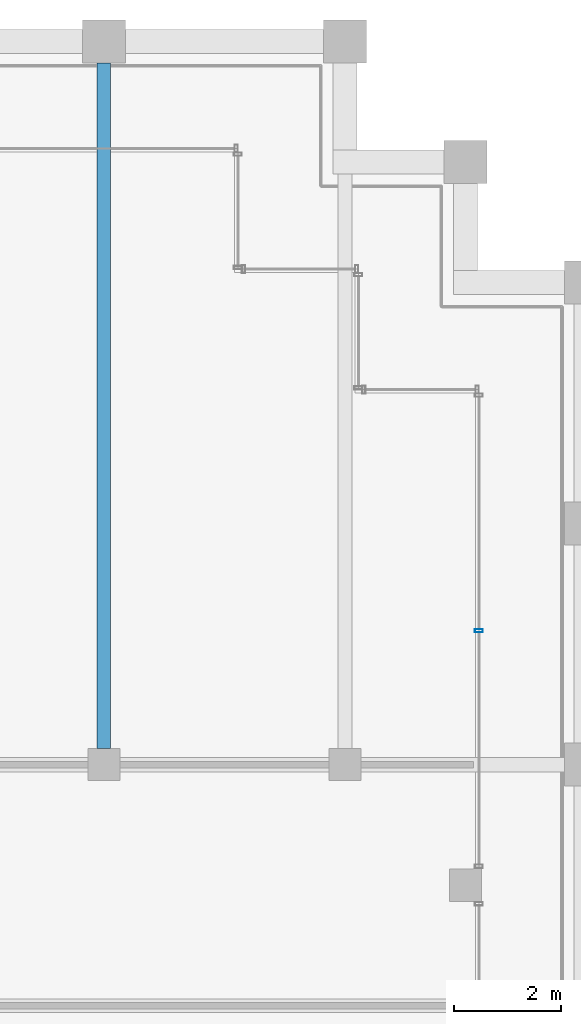
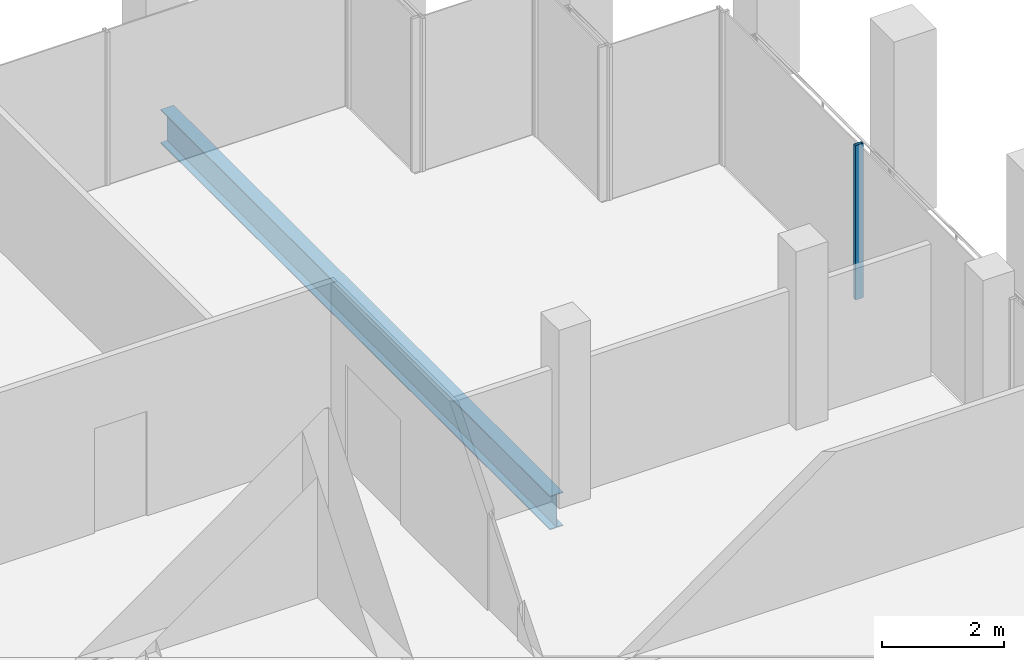
# One storey, part 24 of 41: 1 beam, 1 member, 1 element without a shape of its own.
"""IFC4 building model written with IfcOpenShell, lengths in metres."""

from ifc_helpers import new_model, si_unit, direction, frame, origin, origin_2d, place, context, subcontext, project, spatial, hollow_rectangle, i_section, extrude, material, material_profile, profile_set, type_object, element, aggregate, save


model = new_model("IFC4")

# Units and contexts
model_context = context("Model", 3, precision=1e-05, world=origin(), true_north=direction((0.0, 1.0)))
body_context = subcontext(model_context, "Body", "Model", "MODEL_VIEW")
ifc_project = project(units=[si_unit("LENGTHUNIT", "METRE"), si_unit("AREAUNIT", "SQUARE_METRE"), si_unit("VOLUMEUNIT", "CUBIC_METRE"), si_unit("PLANEANGLEUNIT", "RADIAN"), si_unit("MASSUNIT", "GRAM", prefix="KILO")], contexts=[model_context])

# Site, building, storey
site_placement = place(None, origin())
site = spatial("IfcSite", under=ifc_project, at=site_placement, CompositionType="ELEMENT")
building_placement = place(site_placement, origin())
building = spatial("IfcBuilding", under=site, at=building_placement, Name="Altepetl Exchange Towers", CompositionType="ELEMENT")
storey_placement = place(building_placement, frame((0.0, 0.0, 206.39990234375)))
storey = spatial("IfcBuildingStorey", under=building, at=storey_placement, Name="L52", CompositionType="ELEMENT", Elevation=206.39990234375)

# Beam
ifc_material_1 = material(Name="Steel S355", Category="steel")
ifc_material_profile_1 = material_profile(ifc_material_1, i_section(OverallWidth=0.2529296875, OverallDepth=0.677978515625, WebThickness=0.01171875, FlangeThickness=0.016357421875, at=origin_2d()), Name="W27X84")
ifc_profile_set_1 = profile_set([ifc_material_profile_1], Name="Steel S355")
beam_type = type_object("IfcBeamType", Name="Floor beam W27X84", PredefinedType="BEAM", material=ifc_profile_set_1)
beam_placement = place(storey_placement, frame((63.0, 58.800048828125, -0.489013671875), z_axis=(0.0, 1.0, 0.0), x_axis=(-1.0, 0.0, 0.0)))
element("IfcBeam", 1, at=beam_placement, inside=storey, type_object=beam_type, Name="bm:A:L52:004", PredefinedType="BEAM", context=body_context, shape_type="SweptSolid", body=[
    extrude(i_section(OverallWidth=0.2529296875, OverallDepth=0.677978515625, WebThickness=0.01171875, FlangeThickness=0.016357421875, at=origin_2d()), origin(), (0.0, 0.0, 1.0), 12.800048828125),
])

# Curtain wall, member
ifc_material_2 = material(Name="Aluminium 6063-T6 glazing", Category="aluminium")
curtain_wall_type = type_object("IfcCurtainWallType", Name="Loggia glazing system", PredefinedType="NOTDEFINED", material=ifc_material_2)
curtain_wall_placement = place(storey_placement, origin())
curtain_wall = element("IfcCurtainWall", 2, at=curtain_wall_placement, inside=storey, type_object=curtain_wall_type, Name="CW1 run", PredefinedType="NOTDEFINED")
ifc_material_3 = material(Name="Aluminium 6063-T6", Category="aluminium")
ifc_material_profile_2 = material_profile(ifc_material_3, hollow_rectangle(XDim=0.06005859375, YDim=0.14990234375, WallThickness=0.0029296875, at=origin_2d()), Name="Mullion 60x150 aluminium")
ifc_profile_set_2 = profile_set([ifc_material_profile_2], Name="Aluminium 6063-T6")
member_type = type_object("IfcMemberType", Name="Mullion 60x150 aluminium", PredefinedType="MULLION", material=ifc_profile_set_2)
member_placement = place(storey_placement, frame((70.0, 60.99755859375, 0.0), z_axis=(0.0, 0.0, 1.0), x_axis=(0.0, 1.0, 0.0)))
member = element("IfcMember", 3, at=member_placement, type_object=member_type, Name="MU1 mullion", PredefinedType="MULLION", context=body_context, shape_type="SweptSolid", body=[
    extrude(hollow_rectangle(XDim=0.06005859375, YDim=0.14990234375, WallThickness=0.0029296875, at=origin_2d()), origin(), (0.0, 0.0, 1.0), 3.10009765625),
])
aggregate(curtain_wall, [member])

save(model, "model.ifc")
